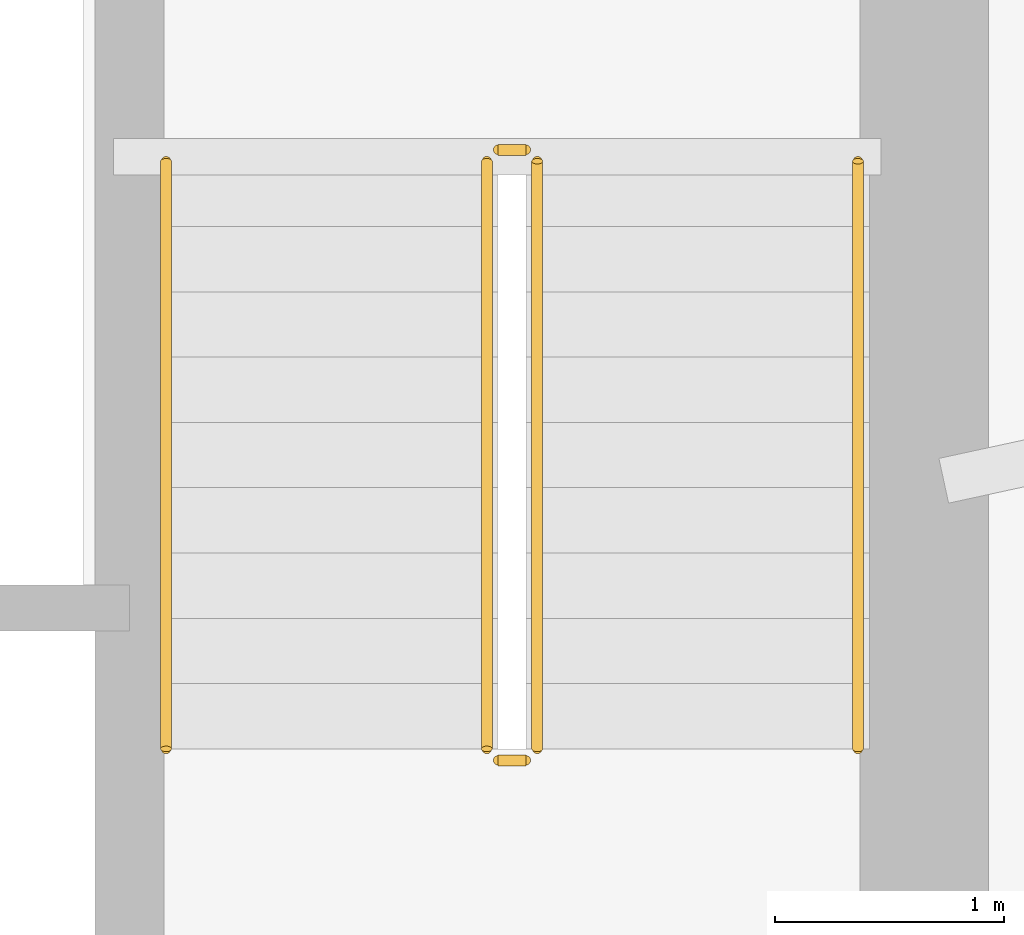
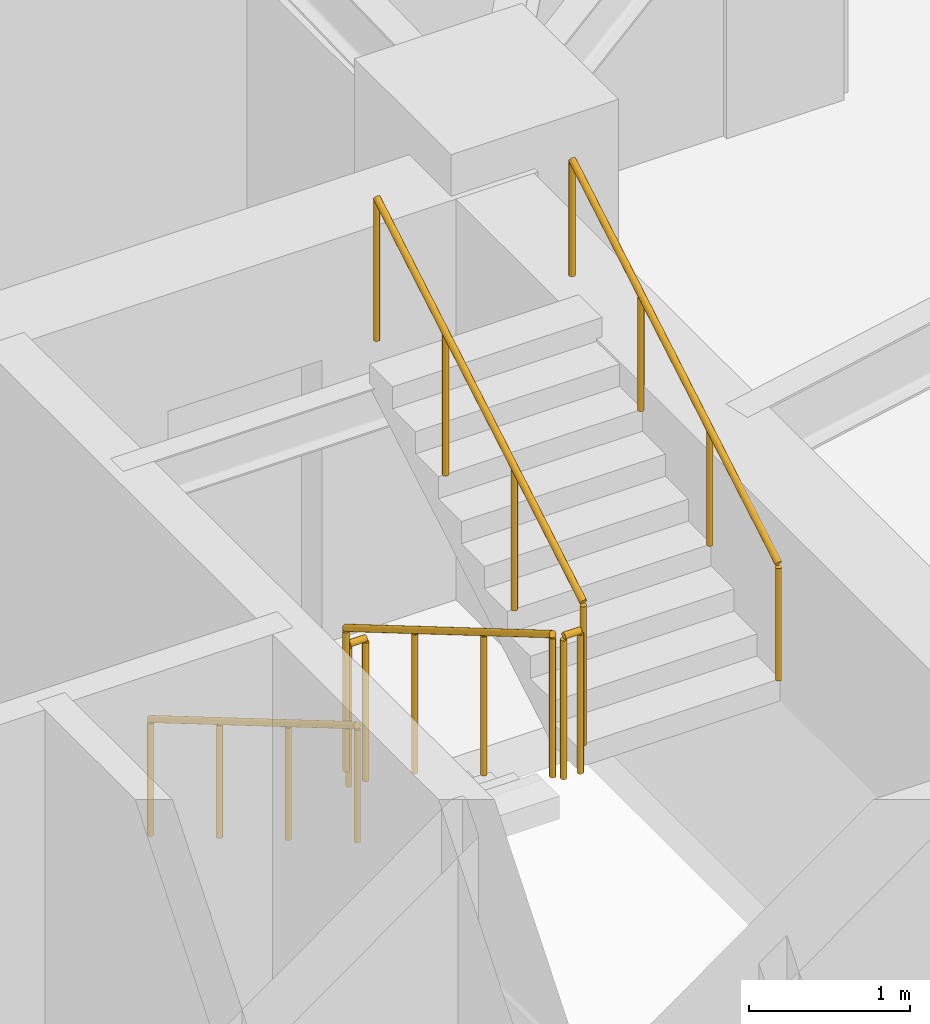
# One storey, part 20 of 20: 6 railings.
"""IFC4 building model written with IfcOpenShell, lengths in metres."""

from ifc_helpers import new_model, si_unit, direction, frame, origin, origin_2d, place, context, subcontext, project, spatial, circle, extrude, material, type_object, element, save


model = new_model("IFC4")

# Units and contexts
model_context = context("Model", 3, precision=1e-05, world=origin(), true_north=direction((0.0, 1.0)))
body_context = subcontext(model_context, "Body", "Model", "MODEL_VIEW")
ifc_project = project(units=[si_unit("LENGTHUNIT", "METRE"), si_unit("AREAUNIT", "SQUARE_METRE"), si_unit("VOLUMEUNIT", "CUBIC_METRE"), si_unit("PLANEANGLEUNIT", "RADIAN"), si_unit("MASSUNIT", "GRAM", prefix="KILO")], contexts=[model_context])

# Site, building, storey
site_placement = place(None, origin())
site = spatial("IfcSite", under=ifc_project, at=site_placement, CompositionType="ELEMENT")
building_placement = place(site_placement, origin())
building = spatial("IfcBuilding", under=site, at=building_placement, Name="Qobustan Lattice House", CompositionType="ELEMENT")
storey_placement = place(building_placement, frame((0.0, 0.0, 67.199951171875)))
storey = spatial("IfcBuildingStorey", under=building, at=storey_placement, Name="L18", CompositionType="ELEMENT", Elevation=67.199951171875)

# Railings
ifc_material_1 = material(Name="Brushed stainless steel handrail", Category="steel")
railing_type_1 = type_object("IfcRailingType", Name="RAL-HR-920", PredefinedType="HANDRAIL", material=ifc_material_1)
railing_1_placement = place(storey_placement, frame((15.179931640625, 3.5, 0.16748046875)))
element("IfcRailing", 1, at=railing_1_placement, inside=storey, type_object=railing_type_1, Name="L18 ST-E1 stair handrail 1", PredefinedType="HANDRAIL", context=body_context, shape_type="SweptSolid", body=[
    extrude(circle(Radius=0.02392578125, at=origin_2d()), frame((0.0, 0.0, 0.8759765625), z_axis=(0.0, -0.862113467892, 0.50671527358), x_axis=(1.0, 0.0, 0.0)), (0.0, 0.0, 1.0), 2.97509765625),
    extrude(circle(Radius=0.02099609375, at=origin_2d()), origin(), (0.0, 0.0, 1.0), 0.851806640625),
    extrude(circle(Radius=0.02099609375, at=origin_2d()), frame((0.0, -0.85498046875, 0.50244140625)), (0.0, 0.0, 1.0), 0.851806640625),
    extrude(circle(Radius=0.02099609375, at=origin_2d()), frame((0.0, -1.7099609375, 1.005126953125)), (0.0, 0.0, 1.0), 0.851806640625),
    extrude(circle(Radius=0.02099609375, at=origin_2d()), frame((0.0, -2.56494140625, 1.507568359375)), (0.0, 0.0, 1.0), 0.851806640625),
])
railing_2_placement = place(storey_placement, frame((18.199951171875, 0.93505859375, 1.842529296875)))
element("IfcRailing", 2, at=railing_2_placement, inside=storey, type_object=railing_type_1, Name="L18 ST-E1 stair handrail 2", PredefinedType="HANDRAIL", context=body_context, shape_type="SweptSolid", body=[
    extrude(circle(Radius=0.02392578125, at=origin_2d()), frame((0.0, 0.0, 0.8759765625), z_axis=(0.0, 0.862113467892, 0.50671527358), x_axis=(-1.0, 0.0, 0.0)), (0.0, 0.0, 1.0), 2.97509765625),
    extrude(circle(Radius=0.02099609375, at=origin_2d()), origin(), (0.0, 0.0, 1.0), 0.851806640625),
    extrude(circle(Radius=0.02099609375, at=origin_2d()), frame((0.0, 0.85498046875, 0.50244140625)), (0.0, 0.0, 1.0), 0.851806640625),
    extrude(circle(Radius=0.02099609375, at=origin_2d()), frame((0.0, 1.7099609375, 1.005126953125)), (0.0, 0.0, 1.0), 0.851806640625),
    extrude(circle(Radius=0.02099609375, at=origin_2d()), frame((0.0, 2.56494140625, 1.507568359375)), (0.0, 0.0, 1.0), 0.851806640625),
])
ifc_material_2 = material(Name="Painted galvanized steel guardrail", Category="steel")
railing_type_2 = type_object("IfcRailingType", Name="RAL-STG-1150", PredefinedType="GUARDRAIL", material=ifc_material_2)
railing_3_placement = place(storey_placement, frame((16.580078125, 3.5, 0.16748046875)))
element("IfcRailing", 3, at=railing_3_placement, inside=storey, type_object=railing_type_2, Name="L18 ST-E1 stair guard 1", PredefinedType="GUARDRAIL", context=body_context, shape_type="SweptSolid", body=[
    extrude(circle(Radius=0.02392578125, at=origin_2d()), frame((0.0, 0.0, 1.076171875), z_axis=(0.0, -0.862113467892, 0.50671527358), x_axis=(1.0, 0.0, 0.0)), (0.0, 0.0, 1.0), 2.97509765625),
    extrude(circle(Radius=0.02099609375, at=origin_2d()), origin(), (0.0, 0.0, 1.0), 1.052001953125),
    extrude(circle(Radius=0.02099609375, at=origin_2d()), frame((0.0, -0.85498046875, 0.50244140625)), (0.0, 0.0, 1.0), 1.052001953125),
    extrude(circle(Radius=0.02099609375, at=origin_2d()), frame((0.0, -1.7099609375, 1.005126953125)), (0.0, 0.0, 1.0), 1.052001953125),
    extrude(circle(Radius=0.02099609375, at=origin_2d()), frame((0.0, -2.56494140625, 1.507568359375)), (0.0, 0.0, 1.0), 1.052001953125),
])
railing_4_placement = place(storey_placement, frame((16.6298828125, 0.885009765625, 1.675048828125)))
element("IfcRailing", 4, at=railing_4_placement, inside=storey, type_object=railing_type_2, Name="L18 ST-E1 stair guard 2", PredefinedType="GUARDRAIL", context=body_context, shape_type="SweptSolid", body=[
    extrude(circle(Radius=0.02392578125, at=origin_2d()), frame((0.0, 0.0, 1.076171875), z_axis=(1.0, 0.0, 0.0), x_axis=(0.0, 1.0, 0.0)), (0.0, 0.0, 1.0), 0.1201171875),
    extrude(circle(Radius=0.02099609375, at=origin_2d()), origin(), (0.0, 0.0, 1.0), 1.052001953125),
    extrude(circle(Radius=0.02099609375, at=origin_2d()), frame((0.1201171875, 0.0, 0.0)), (0.0, 0.0, 1.0), 1.052001953125),
])
railing_5_placement = place(storey_placement, frame((16.800048828125, 0.93505859375, 1.842529296875)))
element("IfcRailing", 5, at=railing_5_placement, inside=storey, type_object=railing_type_2, Name="L18 ST-E1 stair guard 3", PredefinedType="GUARDRAIL", context=body_context, shape_type="SweptSolid", body=[
    extrude(circle(Radius=0.02392578125, at=origin_2d()), frame((0.0, 0.0, 1.076171875), z_axis=(0.0, 0.862113467892, 0.50671527358), x_axis=(-1.0, 0.0, 0.0)), (0.0, 0.0, 1.0), 2.97509765625),
    extrude(circle(Radius=0.02099609375, at=origin_2d()), origin(), (0.0, 0.0, 1.0), 1.052001953125),
    extrude(circle(Radius=0.02099609375, at=origin_2d()), frame((0.0, 0.85498046875, 0.50244140625)), (0.0, 0.0, 1.0), 1.052001953125),
    extrude(circle(Radius=0.02099609375, at=origin_2d()), frame((0.0, 1.7099609375, 1.005126953125)), (0.0, 0.0, 1.0), 1.052001953125),
    extrude(circle(Radius=0.02099609375, at=origin_2d()), frame((0.0, 2.56494140625, 1.507568359375)), (0.0, 0.0, 1.0), 1.052001953125),
])
railing_6_placement = place(storey_placement, frame((16.6298828125, 3.550048828125, 0.0)))
element("IfcRailing", 6, at=railing_6_placement, inside=storey, type_object=railing_type_2, Name="L18 ST-E1 stair guard 4", PredefinedType="GUARDRAIL", context=body_context, shape_type="SweptSolid", body=[
    extrude(circle(Radius=0.02392578125, at=origin_2d()), frame((0.0, 0.0, 1.076171875), z_axis=(1.0, 0.0, 0.0), x_axis=(0.0, 1.0, 0.0)), (0.0, 0.0, 1.0), 0.1201171875),
    extrude(circle(Radius=0.02099609375, at=origin_2d()), origin(), (0.0, 0.0, 1.0), 1.052001953125),
    extrude(circle(Radius=0.02099609375, at=origin_2d()), frame((0.1201171875, 0.0, 0.0)), (0.0, 0.0, 1.0), 1.052001953125),
])

save(model, "model.ifc")
